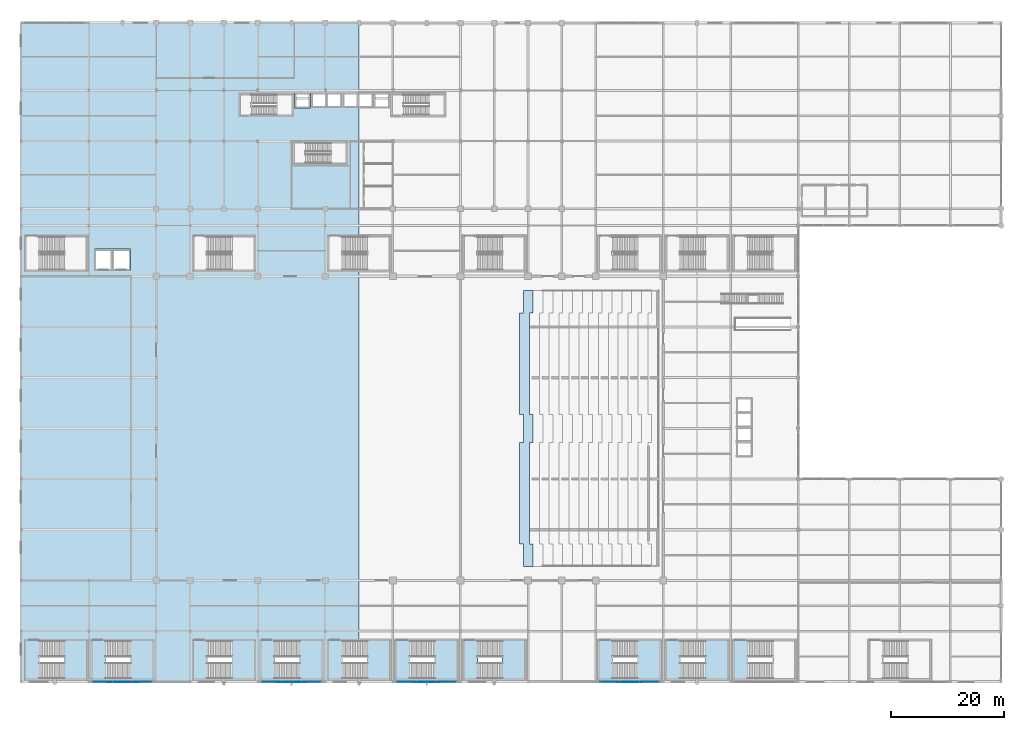
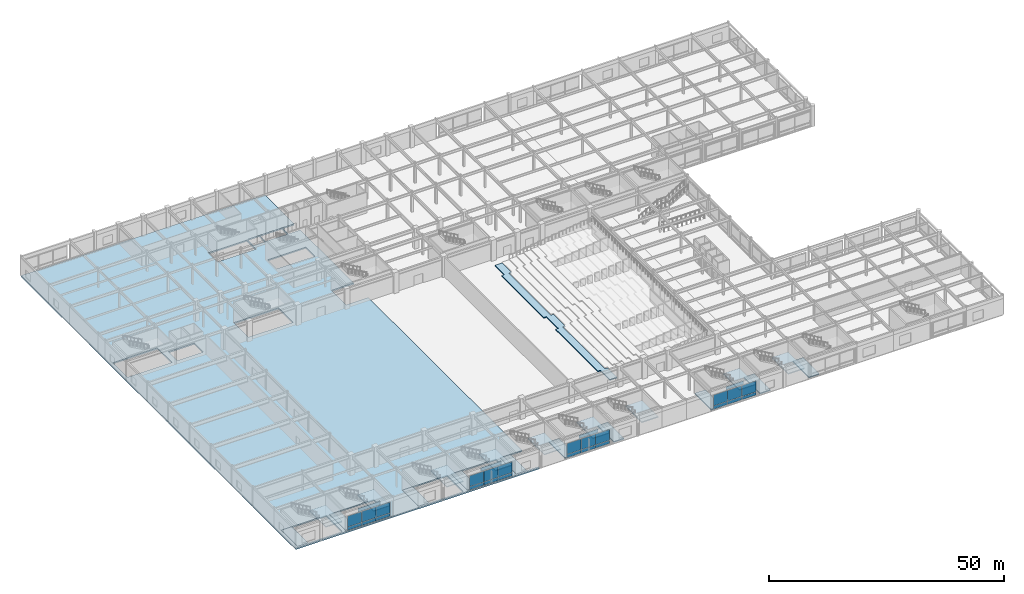
# One storey, part 75 of 100: 28 plates, 21 slabs, 13 elements without a shape of their own.
"""IFC4 building model written with IfcOpenShell, lengths in metres."""

from ifc_helpers import new_model, si_unit, direction, frame, origin, origin_2d, place, context, subcontext, project, spatial, polyline, rectangle, outline, extrude, material, layer, layer_set, type_object, element, aggregate, save


model = new_model("IFC4")

# Units and contexts
model_context = context("Model", 3, precision=1e-05, world=origin(), true_north=direction((0.0, 1.0)))
body_context = subcontext(model_context, "Body", "Model", "MODEL_VIEW")
ifc_project = project(units=[si_unit("LENGTHUNIT", "METRE"), si_unit("AREAUNIT", "SQUARE_METRE"), si_unit("VOLUMEUNIT", "CUBIC_METRE"), si_unit("PLANEANGLEUNIT", "RADIAN"), si_unit("MASSUNIT", "GRAM", prefix="KILO")], contexts=[model_context])

# Site, building, storey
site_placement = place(None, origin())
site = spatial("IfcSite", under=ifc_project, at=site_placement, CompositionType="ELEMENT")
building_placement = place(site_placement, origin())
building = spatial("IfcBuilding", under=site, at=building_placement, Name="Kaldorvane Square Convention Centre", CompositionType="ELEMENT")
storey_placement = place(building_placement, frame((0.0, 0.0, 18.0)))
storey = spatial("IfcBuildingStorey", under=building, at=storey_placement, Name="L03", CompositionType="ELEMENT", Elevation=18.0)

# Curtain wall, plates
ifc_material_1 = material(Name="Anodized Aluminum and Low-E Insulated Glazing", Category="aluminium")
curtain_wall_type = type_object("IfcCurtainWallType", Name="CW-UNI-P54-12", PredefinedType="USERDEFINED", material=ifc_material_1)
curtain_wall_1_placement = place(storey_placement, origin())
curtain_wall_1 = element("IfcCurtainWall", 1, at=curtain_wall_1_placement, inside=storey, type_object=curtain_wall_type, Name="Curtain Wall CW-03 (L03)", ObjectType="UNITISED GLAZING", PredefinedType="USERDEFINED")
ifc_layer_1 = layer(ifc_material_1, 0.03399658203125)
ifc_layer_set_1 = layer_set([ifc_layer_1], Name="Anodized Aluminum and Low-E Insulated Glazing")
plate_type_1 = type_object("IfcPlateType", Name="CW-PNL-03", PredefinedType="CURTAIN_PANEL", material=ifc_layer_set_1)
plate_1_placement = place(storey_placement, frame((14.48541259765625, 0.0, 0.214996337890625), z_axis=(0.0, 0.0, 1.0), x_axis=(1.0, 0.0, 0.0)))
plate_1 = element("IfcPlate", 2, at=plate_1_placement, type_object=plate_type_1, Name="CW-03 panel 1.1", PredefinedType="CURTAIN_PANEL", context=body_context, shape_type="SweptSolid", body=[
    extrude(rectangle(XDim=3.42083740234375, YDim=0.03399658203125, at=origin_2d()), origin(), (0.0, 0.0, 1.0), 0.8025054931640625),
])
plate_2_placement = place(storey_placement, frame((14.48541259765625, 0.0, 1.0825042724609375), z_axis=(0.0, 0.0, 1.0), x_axis=(1.0, 0.0, 0.0)))
plate_2 = element("IfcPlate", 3, at=plate_2_placement, type_object=plate_type_1, Name="CW-03 panel 1.2", PredefinedType="CURTAIN_PANEL", context=body_context, shape_type="SweptSolid", body=[
    extrude(rectangle(XDim=3.42083740234375, YDim=0.03399658203125, at=origin_2d()), origin(), (0.0, 0.0, 1.0), 2.8125),
])
plate_3_placement = place(storey_placement, frame((18.0, 0.0, 0.214996337890625), z_axis=(0.0, 0.0, 1.0), x_axis=(1.0, 0.0, 0.0)))
plate_3 = element("IfcPlate", 4, at=plate_3_placement, type_object=plate_type_1, Name="CW-03 panel 2.1", PredefinedType="CURTAIN_PANEL", context=body_context, shape_type="SweptSolid", body=[
    extrude(rectangle(XDim=3.4583282470703125, YDim=0.03399658203125, at=origin_2d()), origin(), (0.0, 0.0, 1.0), 0.8025054931640625),
])
plate_4_placement = place(storey_placement, frame((18.0, 0.0, 1.0825042724609375), z_axis=(0.0, 0.0, 1.0), x_axis=(1.0, 0.0, 0.0)))
plate_4 = element("IfcPlate", 5, at=plate_4_placement, type_object=plate_type_1, Name="CW-03 panel 2.2", PredefinedType="CURTAIN_PANEL", context=body_context, shape_type="SweptSolid", body=[
    extrude(rectangle(XDim=3.4583282470703125, YDim=0.03399658203125, at=origin_2d()), origin(), (0.0, 0.0, 1.0), 2.8125),
])
plate_5_placement = place(storey_placement, frame((21.51458740234375, 0.0, 0.214996337890625), z_axis=(0.0, 0.0, 1.0), x_axis=(1.0, 0.0, 0.0)))
plate_5 = element("IfcPlate", 6, at=plate_5_placement, type_object=plate_type_1, Name="CW-03 panel 3.1", PredefinedType="CURTAIN_PANEL", context=body_context, shape_type="SweptSolid", body=[
    extrude(rectangle(XDim=3.42083740234375, YDim=0.03399658203125, at=origin_2d()), origin(), (0.0, 0.0, 1.0), 0.8025054931640625),
])
plate_6_placement = place(storey_placement, frame((21.51458740234375, 0.0, 1.0825042724609375), z_axis=(0.0, 0.0, 1.0), x_axis=(1.0, 0.0, 0.0)))
plate_6 = element("IfcPlate", 7, at=plate_6_placement, type_object=plate_type_1, Name="CW-03 panel 3.2", PredefinedType="CURTAIN_PANEL", context=body_context, shape_type="SweptSolid", body=[
    extrude(rectangle(XDim=3.42083740234375, YDim=0.03399658203125, at=origin_2d()), origin(), (0.0, 0.0, 1.0), 2.8125),
])
aggregate(curtain_wall_1, [plate_1, plate_2, plate_3, plate_4, plate_5, plate_6])

curtain_wall_2_placement = place(storey_placement, origin())
curtain_wall_2 = element("IfcCurtainWall", 8, at=curtain_wall_2_placement, inside=storey, type_object=curtain_wall_type, Name="Curtain Wall CW-03 (L03)", ObjectType="UNITISED GLAZING", PredefinedType="USERDEFINED")
plate_7_placement = place(storey_placement, frame((44.48541259765625, 0.0, 0.214996337890625), z_axis=(0.0, 0.0, 1.0), x_axis=(1.0, 0.0, 0.0)))
plate_7 = element("IfcPlate", 9, at=plate_7_placement, type_object=plate_type_1, Name="CW-03 panel 1.1", PredefinedType="CURTAIN_PANEL", context=body_context, shape_type="SweptSolid", body=[
    extrude(rectangle(XDim=3.42083740234375, YDim=0.03399658203125, at=origin_2d()), origin(), (0.0, 0.0, 1.0), 0.8025054931640625),
])
plate_8_placement = place(storey_placement, frame((44.48541259765625, 0.0, 1.0825042724609375), z_axis=(0.0, 0.0, 1.0), x_axis=(1.0, 0.0, 0.0)))
plate_8 = element("IfcPlate", 10, at=plate_8_placement, type_object=plate_type_1, Name="CW-03 panel 1.2", PredefinedType="CURTAIN_PANEL", context=body_context, shape_type="SweptSolid", body=[
    extrude(rectangle(XDim=3.42083740234375, YDim=0.03399658203125, at=origin_2d()), origin(), (0.0, 0.0, 1.0), 2.8125),
])
plate_9_placement = place(storey_placement, frame((48.0, 0.0, 0.214996337890625), z_axis=(0.0, 0.0, 1.0), x_axis=(1.0, 0.0, 0.0)))
plate_9 = element("IfcPlate", 11, at=plate_9_placement, type_object=plate_type_1, Name="CW-03 panel 2.1", PredefinedType="CURTAIN_PANEL", context=body_context, shape_type="SweptSolid", body=[
    extrude(rectangle(XDim=3.4583282470703125, YDim=0.03399658203125, at=origin_2d()), origin(), (0.0, 0.0, 1.0), 0.8025054931640625),
])
plate_10_placement = place(storey_placement, frame((48.0, 0.0, 1.0825042724609375), z_axis=(0.0, 0.0, 1.0), x_axis=(1.0, 0.0, 0.0)))
plate_10 = element("IfcPlate", 12, at=plate_10_placement, type_object=plate_type_1, Name="CW-03 panel 2.2", PredefinedType="CURTAIN_PANEL", context=body_context, shape_type="SweptSolid", body=[
    extrude(rectangle(XDim=3.4583282470703125, YDim=0.03399658203125, at=origin_2d()), origin(), (0.0, 0.0, 1.0), 2.8125),
])
plate_11_placement = place(storey_placement, frame((51.51458740234375, 0.0, 0.214996337890625), z_axis=(0.0, 0.0, 1.0), x_axis=(1.0, 0.0, 0.0)))
plate_11 = element("IfcPlate", 13, at=plate_11_placement, type_object=plate_type_1, Name="CW-03 panel 3.1", PredefinedType="CURTAIN_PANEL", context=body_context, shape_type="SweptSolid", body=[
    extrude(rectangle(XDim=3.42083740234375, YDim=0.03399658203125, at=origin_2d()), origin(), (0.0, 0.0, 1.0), 0.8025054931640625),
])
plate_12_placement = place(storey_placement, frame((51.51458740234375, 0.0, 1.0825042724609375), z_axis=(0.0, 0.0, 1.0), x_axis=(1.0, 0.0, 0.0)))
plate_12 = element("IfcPlate", 14, at=plate_12_placement, type_object=plate_type_1, Name="CW-03 panel 3.2", PredefinedType="CURTAIN_PANEL", context=body_context, shape_type="SweptSolid", body=[
    extrude(rectangle(XDim=3.42083740234375, YDim=0.03399658203125, at=origin_2d()), origin(), (0.0, 0.0, 1.0), 2.8125),
])
aggregate(curtain_wall_2, [plate_7, plate_8, plate_9, plate_10, plate_11, plate_12])

curtain_wall_3_placement = place(storey_placement, origin())
curtain_wall_3 = element("IfcCurtainWall", 15, at=curtain_wall_3_placement, inside=storey, type_object=curtain_wall_type, Name="Curtain Wall CW-03 (L03)", ObjectType="UNITISED GLAZING", PredefinedType="USERDEFINED")
plate_13_placement = place(storey_placement, frame((68.48541259765625, 0.0, 0.214996337890625), z_axis=(0.0, 0.0, 1.0), x_axis=(1.0, 0.0, 0.0)))
plate_13 = element("IfcPlate", 16, at=plate_13_placement, type_object=plate_type_1, Name="CW-03 panel 1.1", PredefinedType="CURTAIN_PANEL", context=body_context, shape_type="SweptSolid", body=[
    extrude(rectangle(XDim=3.42083740234375, YDim=0.03399658203125, at=origin_2d()), origin(), (0.0, 0.0, 1.0), 0.8025054931640625),
])
plate_14_placement = place(storey_placement, frame((68.48541259765625, 0.0, 1.0825042724609375), z_axis=(0.0, 0.0, 1.0), x_axis=(1.0, 0.0, 0.0)))
plate_14 = element("IfcPlate", 17, at=plate_14_placement, type_object=plate_type_1, Name="CW-03 panel 1.2", PredefinedType="CURTAIN_PANEL", context=body_context, shape_type="SweptSolid", body=[
    extrude(rectangle(XDim=3.42083740234375, YDim=0.03399658203125, at=origin_2d()), origin(), (0.0, 0.0, 1.0), 2.8125),
])
plate_15_placement = place(storey_placement, frame((72.0, 0.0, 0.214996337890625), z_axis=(0.0, 0.0, 1.0), x_axis=(1.0, 0.0, 0.0)))
plate_15 = element("IfcPlate", 18, at=plate_15_placement, type_object=plate_type_1, Name="CW-03 panel 2.1", PredefinedType="CURTAIN_PANEL", context=body_context, shape_type="SweptSolid", body=[
    extrude(rectangle(XDim=3.4583282470703125, YDim=0.03399658203125, at=origin_2d()), origin(), (0.0, 0.0, 1.0), 0.8025054931640625),
])
plate_16_placement = place(storey_placement, frame((72.0, 0.0, 1.0825042724609375), z_axis=(0.0, 0.0, 1.0), x_axis=(1.0, 0.0, 0.0)))
plate_16 = element("IfcPlate", 19, at=plate_16_placement, type_object=plate_type_1, Name="CW-03 panel 2.2", PredefinedType="CURTAIN_PANEL", context=body_context, shape_type="SweptSolid", body=[
    extrude(rectangle(XDim=3.4583282470703125, YDim=0.03399658203125, at=origin_2d()), origin(), (0.0, 0.0, 1.0), 2.8125),
])
plate_17_placement = place(storey_placement, frame((75.51458740234375, 0.0, 0.214996337890625), z_axis=(0.0, 0.0, 1.0), x_axis=(1.0, 0.0, 0.0)))
plate_17 = element("IfcPlate", 20, at=plate_17_placement, type_object=plate_type_1, Name="CW-03 panel 3.1", PredefinedType="CURTAIN_PANEL", context=body_context, shape_type="SweptSolid", body=[
    extrude(rectangle(XDim=3.42083740234375, YDim=0.03399658203125, at=origin_2d()), origin(), (0.0, 0.0, 1.0), 0.8025054931640625),
])
plate_18_placement = place(storey_placement, frame((75.51458740234375, 0.0, 1.0825042724609375), z_axis=(0.0, 0.0, 1.0), x_axis=(1.0, 0.0, 0.0)))
plate_18 = element("IfcPlate", 21, at=plate_18_placement, type_object=plate_type_1, Name="CW-03 panel 3.2", PredefinedType="CURTAIN_PANEL", context=body_context, shape_type="SweptSolid", body=[
    extrude(rectangle(XDim=3.42083740234375, YDim=0.03399658203125, at=origin_2d()), origin(), (0.0, 0.0, 1.0), 2.8125),
])
aggregate(curtain_wall_3, [plate_13, plate_14, plate_15, plate_16, plate_17, plate_18])

curtain_wall_4_placement = place(storey_placement, origin())
curtain_wall_4 = element("IfcCurtainWall", 22, at=curtain_wall_4_placement, inside=storey, type_object=curtain_wall_type, Name="Curtain Wall CW-03 (L03)", ObjectType="UNITISED GLAZING", PredefinedType="USERDEFINED")
plate_19_placement = place(storey_placement, frame((104.48541259765625, 0.0, 0.214996337890625), z_axis=(0.0, 0.0, 1.0), x_axis=(1.0, 0.0, 0.0)))
plate_19 = element("IfcPlate", 23, at=plate_19_placement, type_object=plate_type_1, Name="CW-03 panel 1.1", PredefinedType="CURTAIN_PANEL", context=body_context, shape_type="SweptSolid", body=[
    extrude(rectangle(XDim=3.42083740234375, YDim=0.03399658203125, at=origin_2d()), origin(), (0.0, 0.0, 1.0), 0.8025054931640625),
])
plate_20_placement = place(storey_placement, frame((104.48541259765625, 0.0, 1.0825042724609375), z_axis=(0.0, 0.0, 1.0), x_axis=(1.0, 0.0, 0.0)))
plate_20 = element("IfcPlate", 24, at=plate_20_placement, type_object=plate_type_1, Name="CW-03 panel 1.2", PredefinedType="CURTAIN_PANEL", context=body_context, shape_type="SweptSolid", body=[
    extrude(rectangle(XDim=3.42083740234375, YDim=0.03399658203125, at=origin_2d()), origin(), (0.0, 0.0, 1.0), 2.8125),
])
plate_21_placement = place(storey_placement, frame((108.0, 0.0, 0.214996337890625), z_axis=(0.0, 0.0, 1.0), x_axis=(1.0, 0.0, 0.0)))
plate_21 = element("IfcPlate", 25, at=plate_21_placement, type_object=plate_type_1, Name="CW-03 panel 2.1", PredefinedType="CURTAIN_PANEL", context=body_context, shape_type="SweptSolid", body=[
    extrude(rectangle(XDim=3.4583282470703125, YDim=0.03399658203125, at=origin_2d()), origin(), (0.0, 0.0, 1.0), 0.8025054931640625),
])
plate_22_placement = place(storey_placement, frame((108.0, 0.0, 1.0825042724609375), z_axis=(0.0, 0.0, 1.0), x_axis=(1.0, 0.0, 0.0)))
plate_22 = element("IfcPlate", 26, at=plate_22_placement, type_object=plate_type_1, Name="CW-03 panel 2.2", PredefinedType="CURTAIN_PANEL", context=body_context, shape_type="SweptSolid", body=[
    extrude(rectangle(XDim=3.4583282470703125, YDim=0.03399658203125, at=origin_2d()), origin(), (0.0, 0.0, 1.0), 2.8125),
])
plate_23_placement = place(storey_placement, frame((111.51458740234375, 0.0, 0.214996337890625), z_axis=(0.0, 0.0, 1.0), x_axis=(1.0, 0.0, 0.0)))
plate_23 = element("IfcPlate", 27, at=plate_23_placement, type_object=plate_type_1, Name="CW-03 panel 3.1", PredefinedType="CURTAIN_PANEL", context=body_context, shape_type="SweptSolid", body=[
    extrude(rectangle(XDim=3.42083740234375, YDim=0.03399658203125, at=origin_2d()), origin(), (0.0, 0.0, 1.0), 0.8025054931640625),
])
plate_24_placement = place(storey_placement, frame((111.51458740234375, 0.0, 1.0825042724609375), z_axis=(0.0, 0.0, 1.0), x_axis=(1.0, 0.0, 0.0)))
plate_24 = element("IfcPlate", 28, at=plate_24_placement, type_object=plate_type_1, Name="CW-03 panel 3.2", PredefinedType="CURTAIN_PANEL", context=body_context, shape_type="SweptSolid", body=[
    extrude(rectangle(XDim=3.42083740234375, YDim=0.03399658203125, at=origin_2d()), origin(), (0.0, 0.0, 1.0), 2.8125),
])
aggregate(curtain_wall_4, [plate_19, plate_20, plate_21, plate_22, plate_23, plate_24])

# Plates
ifc_material_2 = material(Name="Concrete f'c = 42 MPa (Normalweight) Precast", Category="concrete")
ifc_layer_2 = layer(ifc_material_2, 0.095001220703125)
ifc_layer_set_2 = layer_set([ifc_layer_2], Name="Concrete f'c = 42 MPa (Normalweight) Precast")
plate_type_2 = type_object("IfcPlateType", Name="PL-FASCIA-01", PredefinedType="USERDEFINED", material=ifc_layer_set_2)
plate_25_placement = place(storey_placement, frame((18.0, -0.037506103515625, 4.1500091552734375), z_axis=(0.0, 0.0, 1.0), x_axis=(1.0, 0.0, 0.0)))
element("IfcPlate", 29, at=plate_25_placement, inside=storey, type_object=plate_type_2, Name="Precast Spandrel Fascia Plate (L03)", ObjectType="CLADDING", PredefinedType="USERDEFINED", context=body_context, shape_type="SweptSolid", body=[
    extrude(rectangle(XDim=5.399993896484375, YDim=0.095001220703125, at=origin_2d()), origin(), (0.0, 0.0, 1.0), 0.899993896484375),
])
ifc_layer_3 = layer(ifc_material_2, 0.0850067138671875)
ifc_layer_set_3 = layer_set([ifc_layer_3], Name="Concrete f'c = 42 MPa (Normalweight) Precast")
plate_type_3 = type_object("IfcPlateType", Name="PL-FASCIA-02", PredefinedType="USERDEFINED", material=ifc_layer_set_3)
plate_26_placement = place(storey_placement, frame((48.0, -0.032501220703125, 4.160003662109375), z_axis=(0.0, 0.0, 1.0), x_axis=(1.0, 0.0, 0.0)))
element("IfcPlate", 30, at=plate_26_placement, inside=storey, type_object=plate_type_3, Name="Precast Spandrel Fascia Plate (L03)", ObjectType="CLADDING", PredefinedType="USERDEFINED", context=body_context, shape_type="SweptSolid", body=[
    extrude(rectangle(XDim=5.0, YDim=0.0850067138671875, at=origin_2d()), origin(), (0.0, 0.0, 1.0), 0.8800048828125),
])
ifc_layer_4 = layer(ifc_material_2, 0.0749969482421875)
ifc_layer_set_4 = layer_set([ifc_layer_4], Name="Concrete f'c = 42 MPa (Normalweight) Precast")
plate_type_4 = type_object("IfcPlateType", Name="PL-FASCIA-03", PredefinedType="USERDEFINED", material=ifc_layer_set_4)
plate_27_placement = place(storey_placement, frame((72.0, -0.027496337890625, 4.1750030517578125), z_axis=(0.0, 0.0, 1.0), x_axis=(1.0, 0.0, 0.0)))
element("IfcPlate", 31, at=plate_27_placement, inside=storey, type_object=plate_type_4, Name="Precast Spandrel Fascia Plate (L03)", ObjectType="CLADDING", PredefinedType="USERDEFINED", context=body_context, shape_type="SweptSolid", body=[
    extrude(rectangle(XDim=4.600006103515625, YDim=0.0749969482421875, at=origin_2d()), origin(), (0.0, 0.0, 1.0), 0.850006103515625),
])
ifc_layer_5 = layer(ifc_material_2, 0.0679931640625)
ifc_layer_set_5 = layer_set([ifc_layer_5], Name="Concrete f'c = 42 MPa (Normalweight) Precast")
plate_type_5 = type_object("IfcPlateType", Name="PL-FASCIA-04", PredefinedType="USERDEFINED", material=ifc_layer_set_5)
plate_28_placement = place(storey_placement, frame((108.0, -0.0240020751953125, 4.19000244140625), z_axis=(0.0, 0.0, 1.0), x_axis=(1.0, 0.0, 0.0)))
element("IfcPlate", 32, at=plate_28_placement, inside=storey, type_object=plate_type_5, Name="Precast Spandrel Fascia Plate (L03)", ObjectType="CLADDING", PredefinedType="USERDEFINED", context=body_context, shape_type="SweptSolid", body=[
    extrude(rectangle(XDim=4.1999969482421875, YDim=0.0679931640625, at=origin_2d()), origin(), (0.0, 0.0, 1.0), 0.82000732421875),
])

# Slabs
ifc_material_3 = material(Name="Concrete f'c = 42 MPa (Normalweight)", Category="concrete")
ifc_layer_6 = layer(ifc_material_3, 0.279998779296875)
ifc_layer_set_6 = layer_set([ifc_layer_6], Name="Concrete f'c = 42 MPa (Normalweight)")
slab_type_1 = type_object("IfcSlabType", Name="SL-FLND-280", PredefinedType="FLOOR", material=ifc_layer_set_6)
slab_1_placement = place(storey_placement, frame((0.0, 0.0, -0.279998779296875)))
element("IfcSlab", 33, at=slab_1_placement, inside=storey, type_object=slab_type_1, Name="Convention Exit Stair C1 Floor Landing (L03)", PredefinedType="FLOOR", context=body_context, shape_type="SweptSolid", body=[
    extrude(outline(polyline([(0.7400054931640625, 0.42999267578125), (3.2899932861328125, 0.42999267578125), (3.2899932861328125, 7.3800048828125), (0.7400054931640625, 7.3800048828125), (0.7400054931640625, 0.42999267578125)])), origin(), (0.0, 0.0, 1.0), 0.279998779296875),
])
slab_2_placement = place(storey_placement, frame((0.0, 0.0, -0.279998779296875)))
element("IfcSlab", 34, at=slab_2_placement, inside=storey, type_object=slab_type_1, Name="Convention Exit Stair C2 Floor Landing (L03)", PredefinedType="FLOOR", context=body_context, shape_type="SweptSolid", body=[
    extrude(outline(polyline([(12.520004272460938, 0.42999267578125), (15.07000732421875, 0.42999267578125), (15.07000732421875, 7.3800048828125), (12.520004272460938, 7.3800048828125), (12.520004272460938, 0.42999267578125)])), origin(), (0.0, 0.0, 1.0), 0.279998779296875),
])
slab_3_placement = place(storey_placement, frame((0.0, 0.0, -0.279998779296875)))
element("IfcSlab", 35, at=slab_3_placement, inside=storey, type_object=slab_type_1, Name="Convention Exit Stair C3 Floor Landing (L03)", PredefinedType="FLOOR", context=body_context, shape_type="SweptSolid", body=[
    extrude(outline(polyline([(30.520004272460938, 0.42999267578125), (33.07000732421875, 0.42999267578125), (33.07000732421875, 7.3800048828125), (30.520004272460938, 7.3800048828125), (30.520004272460938, 0.42999267578125)])), origin(), (0.0, 0.0, 1.0), 0.279998779296875),
])
slab_4_placement = place(storey_placement, frame((0.0, 0.0, -0.279998779296875)))
element("IfcSlab", 36, at=slab_4_placement, inside=storey, type_object=slab_type_1, Name="Convention Exit Stair C4 Floor Landing (L03)", PredefinedType="FLOOR", context=body_context, shape_type="SweptSolid", body=[
    extrude(outline(polyline([(42.52000427246094, 0.42999267578125), (45.07000732421875, 0.42999267578125), (45.07000732421875, 7.3800048828125), (42.52000427246094, 7.3800048828125), (42.52000427246094, 0.42999267578125)])), origin(), (0.0, 0.0, 1.0), 0.279998779296875),
])
slab_5_placement = place(storey_placement, frame((0.0, 0.0, -0.279998779296875)))
element("IfcSlab", 37, at=slab_5_placement, inside=storey, type_object=slab_type_1, Name="Convention Exit Stair C5 Floor Landing (L03)", PredefinedType="FLOOR", context=body_context, shape_type="SweptSolid", body=[
    extrude(outline(polyline([(54.52000427246094, 0.42999267578125), (57.07000732421875, 0.42999267578125), (57.07000732421875, 7.3800048828125), (54.52000427246094, 7.3800048828125), (54.52000427246094, 0.42999267578125)])), origin(), (0.0, 0.0, 1.0), 0.279998779296875),
])
slab_6_placement = place(storey_placement, frame((0.0, 0.0, -0.279998779296875)))
element("IfcSlab", 38, at=slab_6_placement, inside=storey, type_object=slab_type_1, Name="Convention Exit Stair C6 Floor Landing (L03)", PredefinedType="FLOOR", context=body_context, shape_type="SweptSolid", body=[
    extrude(outline(polyline([(66.52000427246094, 0.42999267578125), (69.07000732421875, 0.42999267578125), (69.07000732421875, 7.3800048828125), (66.52000427246094, 7.3800048828125), (66.52000427246094, 0.42999267578125)])), origin(), (0.0, 0.0, 1.0), 0.279998779296875),
])
slab_7_placement = place(storey_placement, frame((0.0, 0.0, -0.279998779296875)))
element("IfcSlab", 39, at=slab_7_placement, inside=storey, type_object=slab_type_1, Name="Convention Exit Stair C7 Floor Landing (L03)", PredefinedType="FLOOR", context=body_context, shape_type="SweptSolid", body=[
    extrude(outline(polyline([(78.52000427246094, 0.42999267578125), (81.07000732421875, 0.42999267578125), (81.07000732421875, 7.3800048828125), (78.52000427246094, 7.3800048828125), (78.52000427246094, 0.42999267578125)])), origin(), (0.0, 0.0, 1.0), 0.279998779296875),
])
slab_8_placement = place(storey_placement, frame((0.0, 0.0, -0.279998779296875)))
element("IfcSlab", 40, at=slab_8_placement, inside=storey, type_object=slab_type_1, Name="Convention Exit Stair C8 Floor Landing (L03)", PredefinedType="FLOOR", context=body_context, shape_type="SweptSolid", body=[
    extrude(outline(polyline([(102.52000427246094, 0.42999267578125), (105.07000732421875, 0.42999267578125), (105.07000732421875, 7.3800048828125), (102.52000427246094, 7.3800048828125), (102.52000427246094, 0.42999267578125)])), origin(), (0.0, 0.0, 1.0), 0.279998779296875),
])
slab_9_placement = place(storey_placement, frame((0.0, 0.0, -0.279998779296875)))
element("IfcSlab", 41, at=slab_9_placement, inside=storey, type_object=slab_type_1, Name="Convention Exit Stair C9 Floor Landing (L03)", PredefinedType="FLOOR", context=body_context, shape_type="SweptSolid", body=[
    extrude(outline(polyline([(114.52000427246094, 0.42999267578125), (117.07000732421875, 0.42999267578125), (117.07000732421875, 7.3800048828125), (114.52000427246094, 7.3800048828125), (114.52000427246094, 0.42999267578125)])), origin(), (0.0, 0.0, 1.0), 0.279998779296875),
])
slab_10_placement = place(storey_placement, frame((0.0, 0.0, -0.279998779296875)))
element("IfcSlab", 42, at=slab_10_placement, inside=storey, type_object=slab_type_1, Name="Convention Exit Stair C10 Floor Landing (L03)", PredefinedType="FLOOR", context=body_context, shape_type="SweptSolid", body=[
    extrude(outline(polyline([(126.52000427246094, 0.42999267578125), (129.07000732421875, 0.42999267578125), (129.07000732421875, 7.3800048828125), (126.52000427246094, 7.3800048828125), (126.52000427246094, 0.42999267578125)])), origin(), (0.0, 0.0, 1.0), 0.279998779296875),
])
ifc_layer_7 = layer(ifc_material_3, 0.350006103515625)
ifc_layer_set_7 = layer_set([ifc_layer_7], Name="Concrete f'c = 42 MPa (Normalweight)")
slab_type_2 = type_object("IfcSlabType", Name="SL-HALL-350", PredefinedType="FLOOR", material=ifc_layer_set_7)
slab_11_placement = place(storey_placement, frame((0.0, 0.0, -0.350006103515625)))
element("IfcSlab", 43, at=slab_11_placement, inside=storey, type_object=slab_type_2, Name="Podium Composite Floor Slab L03-1", PredefinedType="FLOOR", context=body_context, shape_type="SweptSolid", body=[
    extrude(outline(polyline([(60.0, 117.0), (60.0, 104.55000305175781), (59.80000305175781, 104.55000305175781), (57.100006103515625, 104.55000305175781), (57.100006103515625, 101.94999694824219), (59.80000305175781, 101.94999694824219), (60.0, 101.94999694824219), (60.0, 79.17999267578125), (54.52000427246094, 79.17999267578125), (54.52000427246094, 72.97999572753906), (60.0, 72.97999572753906), (60.0, 7.3800048828125), (54.52000427246094, 7.3800048828125), (54.52000427246094, 0.42999267578125), (60.0, 0.42999267578125), (60.0, 0.0), (0.0, 0.0), (0.0, 117.0), (60.0, 117.0)]), holes=[polyline([(11.699996948242188, 0.42999267578125), (11.699996948242188, 7.3800048828125), (0.7400054931640625, 7.3800048828125), (0.7400054931640625, 0.42999267578125), (11.699996948242188, 0.42999267578125)]), polyline([(53.47999572753906, 0.42999267578125), (53.47999572753906, 7.3800048828125), (42.52000427246094, 7.3800048828125), (42.52000427246094, 0.42999267578125), (53.47999572753906, 0.42999267578125)]), polyline([(41.47999572753906, 0.42999267578125), (41.47999572753906, 7.3800048828125), (30.520004272460938, 7.3800048828125), (30.520004272460938, 0.42999267578125), (41.47999572753906, 0.42999267578125)]), polyline([(23.479995727539062, 0.42999267578125), (23.479995727539062, 7.3800048828125), (12.520004272460938, 7.3800048828125), (12.520004272460938, 0.42999267578125), (23.479995727539062, 0.42999267578125)]), polyline([(19.399993896484375, 73.0), (19.399993896484375, 76.80000305175781), (16.199996948242188, 76.80000305175781), (13.0, 76.80000305175781), (13.0, 73.0), (16.199996948242188, 73.0), (19.399993896484375, 73.0)]), polyline([(41.47999572753906, 72.97999572753906), (41.47999572753906, 79.17999267578125), (30.520004272460938, 79.17999267578125), (30.520004272460938, 72.97999572753906), (41.47999572753906, 72.97999572753906)]), polyline([(11.699996948242188, 72.97999572753906), (11.699996948242188, 79.17999267578125), (0.7400054931640625, 79.17999267578125), (0.7400054931640625, 72.97999572753906), (11.699996948242188, 72.97999572753906)]), polyline([(57.82000732421875, 91.94000244140625), (57.82000732421875, 95.82000732421875), (48.3800048828125, 95.82000732421875), (48.3800048828125, 91.94000244140625), (57.82000732421875, 91.94000244140625)]), polyline([(48.220001220703125, 100.49000549316406), (48.220001220703125, 104.3699951171875), (38.779998779296875, 104.3699951171875), (38.779998779296875, 100.49000549316406), (48.220001220703125, 100.49000549316406)]), polyline([(51.350006103515625, 101.85000610351562), (51.350006103515625, 104.55000305175781), (48.55000305175781, 104.55000305175781), (48.55000305175781, 101.85000610351562), (51.350006103515625, 101.85000610351562)]), polyline([(56.899993896484375, 104.55000305175781), (54.19999694824219, 104.55000305175781), (51.5, 104.55000305175781), (51.5, 101.94999694824219), (54.19999694824219, 101.94999694824219), (56.899993896484375, 101.94999694824219), (56.899993896484375, 104.55000305175781)])]), origin(), (0.0, 0.0, 1.0), 0.350006103515625),
])

# Stair, slab
stair_type = type_object("IfcStairType", Name="ST-DL-2800-5400-D6710", PredefinedType="HALF_TURN_STAIR", material=ifc_material_3)
stair_1_placement = place(storey_placement, origin())
stair_1 = element("IfcStair", 44, at=stair_1_placement, inside=storey, type_object=stair_type, Name="Convention Exit Stair C1 (L03)", PredefinedType="HALF_TURN_STAIR")
ifc_layer_8 = layer(ifc_material_3, 0.2400054931640625)
ifc_layer_set_8 = layer_set([ifc_layer_8], Name="Concrete f'c = 42 MPa (Normalweight)")
slab_type_3 = type_object("IfcSlabType", Name="SL-LAND-240", PredefinedType="LANDING", material=ifc_layer_set_8)
slab_12_placement = place(storey_placement, frame((0.0, 0.0, 2.4600067138671875)))
slab_12 = element("IfcSlab", 45, at=slab_12_placement, type_object=slab_type_3, Name="Convention Exit Stair C1 Half Landing (L03)", PredefinedType="LANDING", context=body_context, shape_type="SweptSolid", body=[
    extrude(outline(polyline([(7.6300048828125, 0.42999267578125), (11.699996948242188, 0.42999267578125), (11.699996948242188, 7.3800048828125), (7.6300048828125, 7.3800048828125), (7.6300048828125, 0.42999267578125)])), origin(), (0.0, 0.0, 1.0), 0.239990234375),
])
aggregate(stair_1, [slab_12])

stair_2_placement = place(storey_placement, origin())
stair_2 = element("IfcStair", 46, at=stair_2_placement, inside=storey, type_object=stair_type, Name="Convention Exit Stair C2 (L03)", PredefinedType="HALF_TURN_STAIR")
slab_13_placement = place(storey_placement, frame((0.0, 0.0, 2.4600067138671875)))
slab_13 = element("IfcSlab", 47, at=slab_13_placement, type_object=slab_type_3, Name="Convention Exit Stair C2 Half Landing (L03)", PredefinedType="LANDING", context=body_context, shape_type="SweptSolid", body=[
    extrude(outline(polyline([(19.410003662109375, 0.42999267578125), (23.479995727539062, 0.42999267578125), (23.479995727539062, 7.3800048828125), (19.410003662109375, 7.3800048828125), (19.410003662109375, 0.42999267578125)])), origin(), (0.0, 0.0, 1.0), 0.239990234375),
])
aggregate(stair_2, [slab_13])

stair_3_placement = place(storey_placement, origin())
stair_3 = element("IfcStair", 48, at=stair_3_placement, inside=storey, type_object=stair_type, Name="Convention Exit Stair C3 (L03)", PredefinedType="HALF_TURN_STAIR")
slab_14_placement = place(storey_placement, frame((0.0, 0.0, 2.4600067138671875)))
slab_14 = element("IfcSlab", 49, at=slab_14_placement, type_object=slab_type_3, Name="Convention Exit Stair C3 Half Landing (L03)", PredefinedType="LANDING", context=body_context, shape_type="SweptSolid", body=[
    extrude(outline(polyline([(37.410003662109375, 0.42999267578125), (41.47999572753906, 0.42999267578125), (41.47999572753906, 7.3800048828125), (37.410003662109375, 7.3800048828125), (37.410003662109375, 0.42999267578125)])), origin(), (0.0, 0.0, 1.0), 0.239990234375),
])
aggregate(stair_3, [slab_14])

stair_4_placement = place(storey_placement, origin())
stair_4 = element("IfcStair", 50, at=stair_4_placement, inside=storey, type_object=stair_type, Name="Convention Exit Stair C4 (L03)", PredefinedType="HALF_TURN_STAIR")
slab_15_placement = place(storey_placement, frame((0.0, 0.0, 2.4600067138671875)))
slab_15 = element("IfcSlab", 51, at=slab_15_placement, type_object=slab_type_3, Name="Convention Exit Stair C4 Half Landing (L03)", PredefinedType="LANDING", context=body_context, shape_type="SweptSolid", body=[
    extrude(outline(polyline([(49.410003662109375, 0.42999267578125), (53.47999572753906, 0.42999267578125), (53.47999572753906, 7.3800048828125), (49.410003662109375, 7.3800048828125), (49.410003662109375, 0.42999267578125)])), origin(), (0.0, 0.0, 1.0), 0.239990234375),
])
aggregate(stair_4, [slab_15])

stair_5_placement = place(storey_placement, origin())
stair_5 = element("IfcStair", 52, at=stair_5_placement, inside=storey, type_object=stair_type, Name="Convention Exit Stair C5 (L03)", PredefinedType="HALF_TURN_STAIR")
slab_16_placement = place(storey_placement, frame((0.0, 0.0, 2.4600067138671875)))
slab_16 = element("IfcSlab", 53, at=slab_16_placement, type_object=slab_type_3, Name="Convention Exit Stair C5 Half Landing (L03)", PredefinedType="LANDING", context=body_context, shape_type="SweptSolid", body=[
    extrude(outline(polyline([(61.410003662109375, 0.42999267578125), (65.47999572753906, 0.42999267578125), (65.47999572753906, 7.3800048828125), (61.410003662109375, 7.3800048828125), (61.410003662109375, 0.42999267578125)])), origin(), (0.0, 0.0, 1.0), 0.239990234375),
])
aggregate(stair_5, [slab_16])

stair_6_placement = place(storey_placement, origin())
stair_6 = element("IfcStair", 54, at=stair_6_placement, inside=storey, type_object=stair_type, Name="Convention Exit Stair C6 (L03)", PredefinedType="HALF_TURN_STAIR")
slab_17_placement = place(storey_placement, frame((0.0, 0.0, 2.4600067138671875)))
slab_17 = element("IfcSlab", 55, at=slab_17_placement, type_object=slab_type_3, Name="Convention Exit Stair C6 Half Landing (L03)", PredefinedType="LANDING", context=body_context, shape_type="SweptSolid", body=[
    extrude(outline(polyline([(73.41000366210938, 0.42999267578125), (77.47999572753906, 0.42999267578125), (77.47999572753906, 7.3800048828125), (73.41000366210938, 7.3800048828125), (73.41000366210938, 0.42999267578125)])), origin(), (0.0, 0.0, 1.0), 0.239990234375),
])
aggregate(stair_6, [slab_17])

stair_7_placement = place(storey_placement, origin())
stair_7 = element("IfcStair", 56, at=stair_7_placement, inside=storey, type_object=stair_type, Name="Convention Exit Stair C7 (L03)", PredefinedType="HALF_TURN_STAIR")
slab_18_placement = place(storey_placement, frame((0.0, 0.0, 2.4600067138671875)))
slab_18 = element("IfcSlab", 57, at=slab_18_placement, type_object=slab_type_3, Name="Convention Exit Stair C7 Half Landing (L03)", PredefinedType="LANDING", context=body_context, shape_type="SweptSolid", body=[
    extrude(outline(polyline([(85.41000366210938, 0.42999267578125), (89.47999572753906, 0.42999267578125), (89.47999572753906, 7.3800048828125), (85.41000366210938, 7.3800048828125), (85.41000366210938, 0.42999267578125)])), origin(), (0.0, 0.0, 1.0), 0.239990234375),
])
aggregate(stair_7, [slab_18])

stair_8_placement = place(storey_placement, origin())
stair_8 = element("IfcStair", 58, at=stair_8_placement, inside=storey, type_object=stair_type, Name="Convention Exit Stair C8 (L03)", PredefinedType="HALF_TURN_STAIR")
slab_19_placement = place(storey_placement, frame((0.0, 0.0, 2.4600067138671875)))
slab_19 = element("IfcSlab", 59, at=slab_19_placement, type_object=slab_type_3, Name="Convention Exit Stair C8 Half Landing (L03)", PredefinedType="LANDING", context=body_context, shape_type="SweptSolid", body=[
    extrude(outline(polyline([(109.41000366210938, 0.42999267578125), (113.47999572753906, 0.42999267578125), (113.47999572753906, 7.3800048828125), (109.41000366210938, 7.3800048828125), (109.41000366210938, 0.42999267578125)])), origin(), (0.0, 0.0, 1.0), 0.239990234375),
])
aggregate(stair_8, [slab_19])

stair_9_placement = place(storey_placement, origin())
stair_9 = element("IfcStair", 60, at=stair_9_placement, inside=storey, type_object=stair_type, Name="Convention Exit Stair C9 (L03)", PredefinedType="HALF_TURN_STAIR")
slab_20_placement = place(storey_placement, frame((0.0, 0.0, 2.4600067138671875)))
slab_20 = element("IfcSlab", 61, at=slab_20_placement, type_object=slab_type_3, Name="Convention Exit Stair C9 Half Landing (L03)", PredefinedType="LANDING", context=body_context, shape_type="SweptSolid", body=[
    extrude(outline(polyline([(121.41000366210938, 0.42999267578125), (125.47999572753906, 0.42999267578125), (125.47999572753906, 7.3800048828125), (121.41000366210938, 7.3800048828125), (121.41000366210938, 0.42999267578125)])), origin(), (0.0, 0.0, 1.0), 0.239990234375),
])
aggregate(stair_9, [slab_20])

# Slab
ifc_material_4 = material(Name="Concrete f'c = 35 MPa (Normalweight)", Category="concrete")
ifc_layer_9 = layer(ifc_material_4, 0.2599945068359375)
ifc_layer_set_9 = layer_set([ifc_layer_9], Name="Concrete f'c = 35 MPa (Normalweight)")
slab_type_4 = type_object("IfcSlabType", Name="SL-TIER-260", PredefinedType="USERDEFINED", material=ifc_layer_set_9)
slab_21_placement = place(storey_placement, origin())
element("IfcSlab", 62, at=slab_21_placement, inside=storey, type_object=slab_type_4, Name="Plenary Hall Seating Tier 01", ObjectType="SEATING TIER", PredefinedType="USERDEFINED", context=body_context, shape_type="SweptSolid", body=[
    extrude(outline(polyline([(90.89999389648438, 24.5), (90.89999389648438, 20.5), (90.25, 20.5), (89.14999389648438, 20.5), (89.14999389648438, 24.5), (88.5, 24.5), (88.5, 42.5), (89.14999389648438, 42.5), (89.14999389648438, 47.5), (88.5, 47.5), (88.5, 65.5), (89.14999389648438, 65.5), (89.14999389648438, 69.5), (90.25, 69.5), (90.89999389648438, 69.5), (90.89999389648438, 65.5), (90.25, 65.5), (90.25, 47.5), (90.89999389648438, 47.5), (90.89999389648438, 42.5), (90.25, 42.5), (90.25, 24.5), (90.89999389648438, 24.5)])), origin(), (0.0, 0.0, 1.0), 0.2599945068359375),
])

save(model, "model.ifc")
